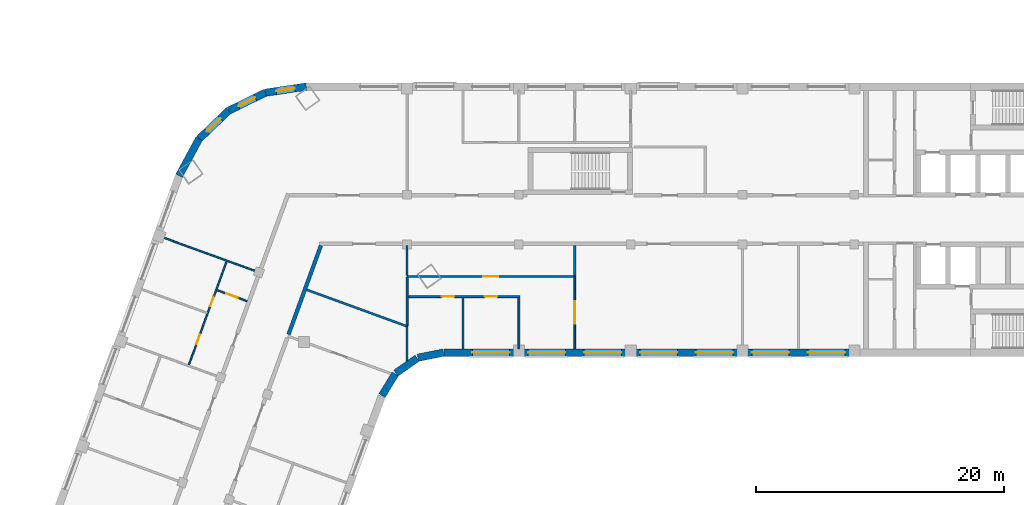
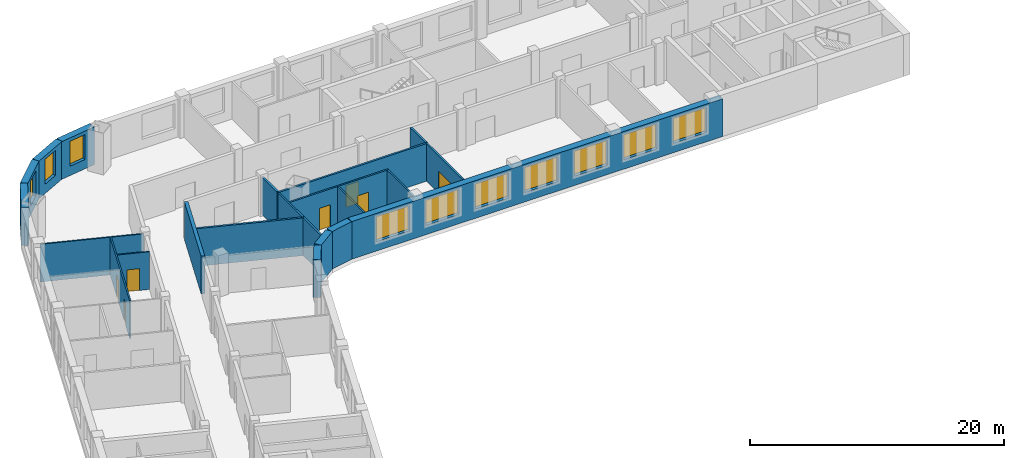
# One storey, part 4 of 12: 22 walls, 10 windows, 7 doors, 17 openings.
"""IFC4 building model written with IfcOpenShell, lengths in metres."""

from ifc_helpers import new_model, si_unit, direction, frame, frame_2d, origin, place, context, subcontext, project, spatial, rectangle, extrude, material, layer, layer_set, type_object, element, fill, save


model = new_model("IFC4")

# Units and contexts
model_context = context("Model", 3, precision=1e-05, world=origin(), true_north=direction((0.0, 1.0)))
body_context = subcontext(model_context, "Body", "Model", "MODEL_VIEW")
ifc_project = project(units=[si_unit("LENGTHUNIT", "METRE"), si_unit("AREAUNIT", "SQUARE_METRE"), si_unit("VOLUMEUNIT", "CUBIC_METRE"), si_unit("PLANEANGLEUNIT", "RADIAN"), si_unit("MASSUNIT", "GRAM", prefix="KILO")], contexts=[model_context])

# Site, building, storey
site_placement = place(None, origin())
site = spatial("IfcSite", under=ifc_project, at=site_placement, CompositionType="ELEMENT")
building_placement = place(site_placement, origin())
building = spatial("IfcBuilding", under=site, at=building_placement, Name="Skarvind Civic Tower", CompositionType="ELEMENT")
storey_placement = place(building_placement, frame((0.0, 0.0, 51.5)))
storey = spatial("IfcBuildingStorey", under=building, at=storey_placement, Name="L11", CompositionType="ELEMENT", Elevation=51.5)

# Walls
ifc_material_1 = material(Name="Acoustic gypsum board on steel studs", Category="steel")
ifc_layer_1 = layer(ifc_material_1, 0.175048828125)
ifc_layer_set_1 = layer_set([ifc_layer_1], Name="ACOUSTIC MEETING-ROOM PARTITION 175")
wall_type_1 = type_object("IfcWallType", Name="ACOUSTIC MEETING-ROOM PARTITION 175", PredefinedType="PARTITIONING", material=ifc_layer_set_1)
wall_1_placement = place(storey_placement, frame((54.25, 116.636962890625, 0.0), z_axis=(0.0, 0.0, 1.0), x_axis=(0.0, 1.0, 0.0)))
element("IfcWall", 1, at=wall_1_placement, inside=storey, type_object=wall_type_1, Name="Partition 11.022", PredefinedType="PARTITIONING", context=body_context, shape_type="SweptSolid", body=[
    extrude(rectangle(XDim=2.776123046875, YDim=0.175048828125, at=frame_2d((1.38818359375, 0.0))), origin(), (0.0, 0.0, 1.0), 3.625),
])
wall_2_placement = place(storey_placement, frame((54.320068359375, 119.384033203125, 0.0), z_axis=(0.0, 0.0, 1.0), x_axis=(-0.939632908118, 0.342184157994, 0.0)))
element("IfcWall", 2, at=wall_2_placement, inside=storey, type_object=wall_type_1, Name="Partition 11.023", PredefinedType="PARTITIONING", context=body_context, shape_type="SweptSolid", body=[
    extrude(rectangle(XDim=8.665283203125, YDim=0.175048828125, at=frame_2d((4.33251953125, 0.0))), origin(), (0.0, 0.0, 1.0), 3.625),
])
wall_3_placement = place(storey_placement, frame((54.25, 123.501953125, 0.0), z_axis=(0.0, 0.0, 1.0), x_axis=(0.0, 1.0, 0.0)))
element("IfcWall", 3, at=wall_3_placement, inside=storey, type_object=wall_type_1, Name="Partition 11.026", PredefinedType="PARTITIONING", context=body_context, shape_type="SweptSolid", body=[
    extrude(rectangle(XDim=2.39794921875, YDim=0.175048828125, at=frame_2d((1.198974609375, 0.0))), origin(), (0.0, 0.0, 1.0), 3.625),
])

# Wall, opening, door
wall_4_placement = place(storey_placement, frame((54.25, 123.429931640625, 0.0), z_axis=(0.0, 0.0, 1.0), x_axis=(1.0, 0.0, 0.0)))
wall_4 = element("IfcWall", 4, at=wall_4_placement, inside=storey, type_object=wall_type_1, Name="Partition 11.027", PredefinedType="PARTITIONING", context=body_context, shape_type="SweptSolid", body=[
    extrude(rectangle(XDim=13.587890625, YDim=0.175048828125, at=frame_2d((6.7939453125, 0.0))), origin(), (0.0, 0.0, 1.0), 3.625),
])
opening_1_placement = place(wall_4_placement, frame((6.14990234375, 0.0, 0.0)))
opening_1 = element("IfcOpeningElement", 5, at=opening_1_placement, cuts=wall_4, Name="Opening L11-D025", PredefinedType="OPENING", context=body_context, shape_type="SweptSolid", body=[
    extrude(rectangle(XDim=1.199951171875, YDim=2.10009765625, at=frame_2d((0.60009765625, 1.050048828125))), frame((0.0, 0.097412109375, 0.0), z_axis=(0.0, -1.0, 0.0), x_axis=(1.0, 0.0, 0.0)), (0.0, 0.0, 1.0), 0.195068359375),
])
ifc_material_2 = material(Name="Timber door leaf", Category="wood")
door_type_1 = type_object("IfcDoorType", Name="DOOR 1200X2100 DOUBLE TIMBER", OperationType="NOTDEFINED", PredefinedType="DOOR", material=ifc_material_2)
door_1_placement = place(opening_1_placement, origin())
door_1 = element("IfcDoor", 6, at=door_1_placement, inside=storey, type_object=door_type_1, Name="Door L11-D025", OperationType="DOUBLE_DOOR_SINGLE_SWING", OverallHeight=2.10009765625, OverallWidth=1.199951171875, PredefinedType="DOOR", context=body_context, shape_type="SweptSolid", body=[
    extrude(rectangle(XDim=1.199951171875, YDim=2.10009765625, at=frame_2d((0.60009765625, 1.050048828125))), frame((0.0, 0.02490234375, 0.0), z_axis=(0.0, -1.0, 0.0), x_axis=(1.0, 0.0, 0.0)), (0.0, 0.0, 1.0), 0.050048828125),
])
fill(opening_1, door_1)

# Walls
wall_5_placement = place(storey_placement, frame((67.75, 123.51806640625, 0.0), z_axis=(0.0, 0.0, 1.0), x_axis=(0.0, 1.0, 0.0)))
element("IfcWall", 7, at=wall_5_placement, inside=storey, type_object=wall_type_1, Name="Partition 11.035", PredefinedType="PARTITIONING", context=body_context, shape_type="SweptSolid", body=[
    extrude(rectangle(XDim=2.3818359375, YDim=0.175048828125, at=frame_2d((1.19091796875, 0.0))), origin(), (0.0, 0.0, 1.0), 3.625),
])
ifc_material_3 = material(Name="Fire-rated gypsum board on steel studs", Category="steel")
ifc_layer_2 = layer(ifc_material_3, 0.300048828125)
ifc_layer_set_2 = layer_set([ifc_layer_2], Name="CORRIDOR WALL 300")
wall_type_2 = type_object("IfcWallType", Name="CORRIDOR WALL 300", PredefinedType="PARTITIONING", material=ifc_layer_set_2)
wall_6_placement = place(storey_placement, frame((47.31396484375, 125.908935546875, 0.0), z_axis=(0.0, 0.0, 1.0), x_axis=(-0.34198522802, -0.939705328183, 0.0)))
element("IfcWall", 8, at=wall_6_placement, inside=storey, type_object=wall_type_2, Name="Partition 11.021", PredefinedType="PARTITIONING", context=body_context, shape_type="SweptSolid", body=[
    extrude(rectangle(XDim=7.608642578125, YDim=0.300048828125, at=frame_2d((3.80419921875, 0.0))), origin(), (0.0, 0.0, 1.0), 3.625),
])
ifc_material_4 = material(Name="Plasterboard partition on steel studs", Category="steel")
ifc_layer_3 = layer(ifc_material_4, 0.14990234375)
ifc_layer_set_3 = layer_set([ifc_layer_3], Name="PARTITION 150")
wall_type_3 = type_object("IfcWallType", Name="PARTITION 150", PredefinedType="PARTITIONING", material=ifc_layer_set_3)
wall_7_placement = place(storey_placement, frame((54.25, 119.498046875, 0.0), z_axis=(0.0, 0.0, 1.0), x_axis=(0.0, 1.0, 0.0)))
element("IfcWall", 9, at=wall_7_placement, inside=storey, type_object=wall_type_3, Name="Partition 11.024", PredefinedType="PARTITIONING", context=body_context, shape_type="SweptSolid", body=[
    extrude(rectangle(XDim=3.847900390625, YDim=0.14990234375, at=frame_2d((1.923828125, 0.0))), origin(), (0.0, 0.0, 1.0), 3.625),
])

# Wall, openings, doors
wall_8_placement = place(storey_placement, frame((54.324951171875, 121.800048828125, 0.0), z_axis=(0.0, 0.0, 1.0), x_axis=(1.0, 0.0, 0.0)))
wall_8 = element("IfcWall", 10, at=wall_8_placement, inside=storey, type_object=wall_type_3, Name="Partition 11.025", PredefinedType="PARTITIONING", context=body_context, shape_type="SweptSolid", body=[
    extrude(rectangle(XDim=9.0, YDim=0.14990234375, at=frame_2d((4.5, 0.0))), origin(), (0.0, 0.0, 1.0), 3.625),
])
opening_2_placement = place(wall_8_placement, frame((6.175048828125, 0.0, 0.0)))
opening_2 = element("IfcOpeningElement", 11, at=opening_2_placement, cuts=wall_8, Name="Opening L11-D008", PredefinedType="OPENING", context=body_context, shape_type="SweptSolid", body=[
    extrude(rectangle(XDim=1.0, YDim=2.10009765625, at=frame_2d((0.5, 1.050048828125))), frame((0.0, 0.0849609375, 0.0), z_axis=(0.0, -1.0, 0.0), x_axis=(1.0, 0.0, 0.0)), (0.0, 0.0, 1.0), 0.169921875),
])
opening_3_placement = place(wall_8_placement, frame((2.702392578125, 0.0, 0.0)))
opening_3 = element("IfcOpeningElement", 12, at=opening_3_placement, cuts=wall_8, Name="Opening L11-D009", PredefinedType="OPENING", context=body_context, shape_type="SweptSolid", body=[
    extrude(rectangle(XDim=1.0, YDim=2.10009765625, at=frame_2d((0.5, 1.050048828125))), frame((0.0, 0.0849609375, 0.0), z_axis=(0.0, -1.0, 0.0), x_axis=(1.0, 0.0, 0.0)), (0.0, 0.0, 1.0), 0.169921875),
])
door_type_2 = type_object("IfcDoorType", Name="D1 1000x2100", OperationType="NOTDEFINED", PredefinedType="DOOR", material=ifc_material_2)
door_2_placement = place(opening_2_placement, origin())
door_2 = element("IfcDoor", 13, at=door_2_placement, inside=storey, type_object=door_type_2, Name="Door L11-D008", OperationType="SINGLE_SWING_RIGHT", OverallHeight=2.10009765625, OverallWidth=1.0, PredefinedType="DOOR", context=body_context, shape_type="SweptSolid", body=[
    extrude(rectangle(XDim=1.0, YDim=2.10009765625, at=frame_2d((0.5, 1.050048828125))), frame((0.0, 0.02490234375, 0.0), z_axis=(0.0, -1.0, 0.0), x_axis=(1.0, 0.0, 0.0)), (0.0, 0.0, 1.0), 0.050048828125),
])
fill(opening_2, door_2)
door_3_placement = place(opening_3_placement, origin())
door_3 = element("IfcDoor", 14, at=door_3_placement, inside=storey, type_object=door_type_2, Name="Door L11-D009", OperationType="SINGLE_SWING_RIGHT", OverallHeight=2.10009765625, OverallWidth=1.0, PredefinedType="DOOR", context=body_context, shape_type="SweptSolid", body=[
    extrude(rectangle(XDim=1.0, YDim=2.10009765625, at=frame_2d((0.5, 1.050048828125))), frame((0.0, 0.02490234375, 0.0), z_axis=(0.0, -1.0, 0.0), x_axis=(1.0, 0.0, 0.0)), (0.0, 0.0, 1.0), 0.050048828125),
])
fill(opening_3, door_3)

# Walls
for number, where, z_axis, x_axis, name in (
    (15, (58.75, 117.60009765625, 0.0), (0.0, 0.0, 1.0), (0.0, 1.0, 0.0), "Partition 11.029"),
    (16, (63.25, 117.60009765625, 0.0), (0.0, 0.0, 1.0), (0.0, 1.0, 0.0), "Partition 11.032"),
):
    element("IfcWall", number, at=place(storey_placement, frame(where, z_axis=z_axis, x_axis=x_axis)), inside=storey, type_object=wall_type_3, Name=name, PredefinedType="PARTITIONING", context=body_context, shape_type="SweptSolid", body=[
        extrude(rectangle(XDim=4.125, YDim=0.14990234375, at=frame_2d((2.0625, 0.0))), origin(), (0.0, 0.0, 1.0), 3.625),
    ])

# Wall, opening, door
wall_9_placement = place(storey_placement, frame((67.75, 123.43310546875, 0.0), z_axis=(0.0, 0.0, 1.0), x_axis=(0.0, -1.0, 0.0)))
wall_9 = element("IfcWall", 17, at=wall_9_placement, inside=storey, type_object=wall_type_3, Name="Partition 11.034", PredefinedType="PARTITIONING", context=body_context, shape_type="SweptSolid", body=[
    extrude(rectangle(XDim=5.8330078125, YDim=0.14990234375, at=frame_2d((2.91650390625, 0.0))), origin(), (0.0, 0.0, 1.0), 3.625),
])
opening_4_placement = place(wall_9_placement, frame((2.01806640625, 0.0, 0.0)))
opening_4 = element("IfcOpeningElement", 18, at=opening_4_placement, cuts=wall_9, Name="Opening L11-D010", PredefinedType="OPENING", context=body_context, shape_type="SweptSolid", body=[
    extrude(rectangle(XDim=1.800048828125, YDim=2.10009765625, at=frame_2d((0.89990234375, 1.050048828125))), frame((0.0, 0.0849609375, 0.0), z_axis=(0.0, -1.0, 0.0), x_axis=(1.0, 0.0, 0.0)), (0.0, 0.0, 1.0), 0.169921875),
])
door_type_3 = type_object("IfcDoorType", Name="D4 1800x2100", OperationType="NOTDEFINED", PredefinedType="DOOR", material=ifc_material_2)
door_4_placement = place(opening_4_placement, origin())
door_4 = element("IfcDoor", 19, at=door_4_placement, inside=storey, type_object=door_type_3, Name="Door L11-D010", OperationType="DOUBLE_DOOR_SINGLE_SWING", OverallHeight=2.10009765625, OverallWidth=1.800048828125, PredefinedType="DOOR", context=body_context, shape_type="SweptSolid", body=[
    extrude(rectangle(XDim=1.800048828125, YDim=2.10009765625, at=frame_2d((0.89990234375, 1.050048828125))), frame((0.0, 0.02490234375, 0.0), z_axis=(0.0, -1.0, 0.0), x_axis=(1.0, 0.0, 0.0)), (0.0, 0.0, 1.0), 0.050048828125),
])
fill(opening_4, door_4)

# Wall
ifc_material_5 = material(Name="Moisture-resistant gypsum board on steel studs", Category="steel")
ifc_layer_4 = layer(ifc_material_5, 0.125)
ifc_layer_set_4 = layer_set([ifc_layer_4], Name="WC PARTITION 125")
wall_type_4 = type_object("IfcWallType", Name="WC PARTITION 125", PredefinedType="PARTITIONING", material=ifc_layer_set_4)
wall_10_placement = place(storey_placement, frame((34.430908203125, 126.6240234375, 0.0), z_axis=(0.0, 0.0, 1.0), x_axis=(0.939687752599, -0.342033518263, 0.0)))
element("IfcWall", 20, at=wall_10_placement, inside=storey, type_object=wall_type_4, Name="Partition 11.006", PredefinedType="PARTITIONING", context=body_context, shape_type="SweptSolid", body=[
    extrude(rectangle(XDim=8.30078125, YDim=0.125, at=frame_2d((4.150390625, 0.0))), origin(), (0.0, 0.0, 1.0), 3.625),
])

# Wall, openings, doors
wall_11_placement = place(storey_placement, frame((36.68408203125, 116.29296875, 0.0), z_axis=(0.0, 0.0, 1.0), x_axis=(0.342089829483, 0.939667254173, 0.0)))
wall_11 = element("IfcWall", 21, at=wall_11_placement, inside=storey, type_object=wall_type_4, Name="Partition 11.008", PredefinedType="PARTITIONING", context=body_context, shape_type="SweptSolid", body=[
    extrude(rectangle(XDim=8.87451171875, YDim=0.125, at=frame_2d((4.437255859375, 0.0))), origin(), (0.0, 0.0, 1.0), 3.625),
])
opening_5_placement = place(wall_11_placement, frame((1.808837890625, 0.0, 0.0)))
opening_5 = element("IfcOpeningElement", 22, at=opening_5_placement, cuts=wall_11, Name="Opening L11-D017", PredefinedType="OPENING", context=body_context, shape_type="SweptSolid", body=[
    extrude(rectangle(XDim=0.800048828125, YDim=2.10009765625, at=frame_2d((0.39990234375, 1.050048828125))), frame((0.0, 0.072509765625, 0.0), z_axis=(0.0, -1.0, 0.0), x_axis=(1.0, 0.0, 0.0)), (0.0, 0.0, 1.0), 0.14501953125),
])
opening_6_placement = place(wall_11_placement, frame((5.0390625, 0.0, 0.0)))
opening_6 = element("IfcOpeningElement", 23, at=opening_6_placement, cuts=wall_11, Name="Opening L11-D018", PredefinedType="OPENING", context=body_context, shape_type="SweptSolid", body=[
    extrude(rectangle(XDim=0.800048828125, YDim=2.10009765625, at=frame_2d((0.39990234375, 1.050048828125))), frame((0.0, 0.072509765625, 0.0), z_axis=(0.0, -1.0, 0.0), x_axis=(1.0, 0.0, 0.0)), (0.0, 0.0, 1.0), 0.14501953125),
])
door_type_4 = type_object("IfcDoorType", Name="DOOR 800X2100 TIMBER", OperationType="NOTDEFINED", PredefinedType="DOOR", material=ifc_material_2)
door_5_placement = place(opening_5_placement, origin())
door_5 = element("IfcDoor", 24, at=door_5_placement, inside=storey, type_object=door_type_4, Name="Door L11-D017", OperationType="SINGLE_SWING_RIGHT", OverallHeight=2.10009765625, OverallWidth=0.800048828125, PredefinedType="DOOR", context=body_context, shape_type="SweptSolid", body=[
    extrude(rectangle(XDim=0.800048828125, YDim=2.10009765625, at=frame_2d((0.39990234375, 1.050048828125))), frame((0.0, 0.02490234375, 0.0), z_axis=(0.0, -1.0, 0.0), x_axis=(1.0, 0.0, 0.0)), (0.0, 0.0, 1.0), 0.050048828125),
])
fill(opening_5, door_5)
door_6_placement = place(opening_6_placement, origin())
door_6 = element("IfcDoor", 25, at=door_6_placement, inside=storey, type_object=door_type_4, Name="Door L11-D018", OperationType="SINGLE_SWING_LEFT", OverallHeight=2.10009765625, OverallWidth=0.800048828125, PredefinedType="DOOR", context=body_context, shape_type="SweptSolid", body=[
    extrude(rectangle(XDim=0.800048828125, YDim=2.10009765625, at=frame_2d((0.39990234375, 1.050048828125))), frame((0.0, 0.02490234375, 0.0), z_axis=(0.0, -1.0, 0.0), x_axis=(1.0, 0.0, 0.0)), (0.0, 0.0, 1.0), 0.050048828125),
])
fill(opening_6, door_6)

# Wall, opening, door
wall_12_placement = place(storey_placement, frame((38.945068359375, 122.321044921875, 0.0), z_axis=(0.0, 0.0, 1.0), x_axis=(0.939542462288, -0.342432418966, 0.0)))
wall_12 = element("IfcWall", 26, at=wall_12_placement, inside=storey, type_object=wall_type_4, Name="Partition 11.012", PredefinedType="PARTITIONING", context=body_context, shape_type="SweptSolid", body=[
    extrude(rectangle(XDim=2.58740234375, YDim=0.125, at=frame_2d((1.293701171875, 0.0))), origin(), (0.0, 0.0, 1.0), 3.625),
])
opening_7_placement = place(wall_12_placement, frame((0.7939453125, 0.0, 0.0)))
opening_7 = element("IfcOpeningElement", 27, at=opening_7_placement, cuts=wall_12, Name="Opening L11-D016", PredefinedType="OPENING", context=body_context, shape_type="SweptSolid", body=[
    extrude(rectangle(XDim=1.0, YDim=2.10009765625, at=frame_2d((0.5, 1.050048828125))), frame((0.0, 0.072509765625, 0.0), z_axis=(0.0, -1.0, 0.0), x_axis=(1.0, 0.0, 0.0)), (0.0, 0.0, 1.0), 0.14501953125),
])
door_7_placement = place(opening_7_placement, origin())
door_7 = element("IfcDoor", 28, at=door_7_placement, inside=storey, type_object=door_type_2, Name="Door L11-D016", OperationType="SINGLE_SWING_LEFT", OverallHeight=2.10009765625, OverallWidth=1.0, PredefinedType="DOOR", context=body_context, shape_type="SweptSolid", body=[
    extrude(rectangle(XDim=1.0, YDim=2.10009765625, at=frame_2d((0.5, 1.050048828125))), frame((0.0, 0.02490234375, 0.0), z_axis=(0.0, -1.0, 0.0), x_axis=(1.0, 0.0, 0.0)), (0.0, 0.0, 1.0), 0.050048828125),
])
fill(opening_7, door_7)

# Walls
ifc_material_6 = material(Name="Limestone masonry cladding on insulated backing", Category="masonry")
ifc_layer_5 = layer(ifc_material_6, 0.60009765625)
ifc_layer_set_5 = layer_set([ifc_layer_5], Name="WX1 STONE FACADE WALL 600")
wall_type_5 = type_object("IfcWallType", Name="WX1 STONE FACADE WALL 600", PredefinedType="SOLIDWALL", material=ifc_layer_set_5)
wall_13_placement = place(storey_placement, frame((53.30517578125, 115.578369140625, 0.0), z_axis=(0.0, 0.0, 1.0), x_axis=(-0.522402266438, -0.852699168535, 0.0)))
element("IfcWall", 29, at=wall_13_placement, inside=storey, type_object=wall_type_5, Name="STONE FACADE WALL", PredefinedType="SOLIDWALL", context=body_context, shape_type="SweptSolid", body=[
    extrude(rectangle(XDim=2.042236328125, YDim=0.60009765625, at=frame_2d((1.02099609375, 0.0))), origin(), (0.0, 0.0, 1.0), 3.625),
])
for number, where, z_axis, x_axis, name in (
    (30, (55.061767578125, 116.8388671875, 0.0), (0.0, 0.0, 1.0), (-0.819122269495, -0.573618956815, 0.0), "STONE FACADE WALL"),
    (31, (57.17529296875, 117.2939453125, 0.0), (0.0, 0.0, 1.0), (-0.97996099083, -0.19918949885, 0.0), "STONE FACADE WALL"),
):
    element("IfcWall", number, at=place(storey_placement, frame(where, z_axis=z_axis, x_axis=x_axis)), inside=storey, type_object=wall_type_5, Name=name, PredefinedType="SOLIDWALL", context=body_context, shape_type="SweptSolid", body=[
        extrude(rectangle(XDim=2.09228515625, YDim=0.60009765625, at=frame_2d((1.046142578125, 0.0))), origin(), (0.0, 0.0, 1.0), 3.625),
    ])

# Wall, openings, windows
wall_14_placement = place(storey_placement, frame((90.97998046875, 117.300048828125, 0.0), z_axis=(0.0, 0.0, 1.0), x_axis=(-1.0, 0.0, 0.0)))
wall_14 = element("IfcWall", 32, at=wall_14_placement, inside=storey, type_object=wall_type_5, Name="STONE FACADE WALL", PredefinedType="SOLIDWALL", context=body_context, shape_type="SweptSolid", body=[
    extrude(rectangle(XDim=33.744873046875, YDim=0.60009765625, at=frame_2d((16.87255859375, 0.0))), origin(), (0.0, 0.0, 1.0), 3.625),
])
opening_8_placement = place(wall_14_placement, frame((1.47998046875, 0.0, 0.89990234375)))
opening_8 = element("IfcOpeningElement", 33, at=opening_8_placement, cuts=wall_14, Name="Opening WN1", PredefinedType="OPENING", context=body_context, shape_type="SweptSolid", body=[
    extrude(rectangle(XDim=3.0, YDim=2.39990234375, at=frame_2d((1.5, 1.199951171875))), frame((0.0, 0.31005859375, 0.0), z_axis=(0.0, -1.0, 0.0), x_axis=(1.0, 0.0, 0.0)), (0.0, 0.0, 1.0), 0.6201171875),
])
opening_9_placement = place(wall_14_placement, frame((5.97998046875, 0.0, 0.89990234375)))
opening_9 = element("IfcOpeningElement", 34, at=opening_9_placement, cuts=wall_14, Name="Opening WN1", PredefinedType="OPENING", context=body_context, shape_type="SweptSolid", body=[
    extrude(rectangle(XDim=3.0, YDim=2.39990234375, at=frame_2d((1.5, 1.199951171875))), frame((0.0, 0.31005859375, 0.0), z_axis=(0.0, -1.0, 0.0), x_axis=(1.0, 0.0, 0.0)), (0.0, 0.0, 1.0), 0.6201171875),
])
opening_10_placement = place(wall_14_placement, frame((10.47998046875, 0.0, 0.89990234375)))
opening_10 = element("IfcOpeningElement", 35, at=opening_10_placement, cuts=wall_14, Name="Opening WN1", PredefinedType="OPENING", context=body_context, shape_type="SweptSolid", body=[
    extrude(rectangle(XDim=3.0, YDim=2.39990234375, at=frame_2d((1.5, 1.199951171875))), frame((0.0, 0.31005859375, 0.0), z_axis=(0.0, -1.0, 0.0), x_axis=(1.0, 0.0, 0.0)), (0.0, 0.0, 1.0), 0.6201171875),
])
opening_11_placement = place(wall_14_placement, frame((14.97998046875, 0.0, 0.89990234375)))
opening_11 = element("IfcOpeningElement", 36, at=opening_11_placement, cuts=wall_14, Name="Opening WN1", PredefinedType="OPENING", context=body_context, shape_type="SweptSolid", body=[
    extrude(rectangle(XDim=3.0, YDim=2.39990234375, at=frame_2d((1.5, 1.199951171875))), frame((0.0, 0.31005859375, 0.0), z_axis=(0.0, -1.0, 0.0), x_axis=(1.0, 0.0, 0.0)), (0.0, 0.0, 1.0), 0.6201171875),
])
opening_12_placement = place(wall_14_placement, frame((19.47998046875, 0.0, 0.89990234375)))
opening_12 = element("IfcOpeningElement", 37, at=opening_12_placement, cuts=wall_14, Name="Opening WN1", PredefinedType="OPENING", context=body_context, shape_type="SweptSolid", body=[
    extrude(rectangle(XDim=3.0, YDim=2.39990234375, at=frame_2d((1.5, 1.199951171875))), frame((0.0, 0.31005859375, 0.0), z_axis=(0.0, -1.0, 0.0), x_axis=(1.0, 0.0, 0.0)), (0.0, 0.0, 1.0), 0.6201171875),
])
opening_13_placement = place(wall_14_placement, frame((23.97998046875, 0.0, 0.89990234375)))
opening_13 = element("IfcOpeningElement", 38, at=opening_13_placement, cuts=wall_14, Name="Opening WN1", PredefinedType="OPENING", context=body_context, shape_type="SweptSolid", body=[
    extrude(rectangle(XDim=3.0, YDim=2.39990234375, at=frame_2d((1.5, 1.199951171875))), frame((0.0, 0.31005859375, 0.0), z_axis=(0.0, -1.0, 0.0), x_axis=(1.0, 0.0, 0.0)), (0.0, 0.0, 1.0), 0.6201171875),
])
opening_14_placement = place(wall_14_placement, frame((28.47998046875, 0.0, 0.89990234375)))
opening_14 = element("IfcOpeningElement", 39, at=opening_14_placement, cuts=wall_14, Name="Opening WN1", PredefinedType="OPENING", context=body_context, shape_type="SweptSolid", body=[
    extrude(rectangle(XDim=3.0, YDim=2.39990234375, at=frame_2d((1.5, 1.199951171875))), frame((0.0, 0.31005859375, 0.0), z_axis=(0.0, -1.0, 0.0), x_axis=(1.0, 0.0, 0.0)), (0.0, 0.0, 1.0), 0.6201171875),
])
ifc_material_7 = material(Name="Timber frame, double glazing, timber-lined reveal", Category="wood")
window_type_1 = type_object("IfcWindowType", Name="WN1 PUNCHED STONE WINDOW 3000 x 2400", PartitioningType="SINGLE_PANEL", PredefinedType="WINDOW", material=ifc_material_7)
window_1_placement = place(opening_8_placement, origin())
window_1 = element("IfcWindow", 40, at=window_1_placement, inside=storey, type_object=window_type_1, Name="WN1 WINDOW", OverallHeight=2.39990234375, OverallWidth=3.0, PartitioningType="SINGLE_PANEL", PredefinedType="WINDOW", context=body_context, shape_type="SweptSolid", body=[
    extrude(rectangle(XDim=3.0, YDim=2.39990234375, at=frame_2d((1.5, 1.199951171875))), frame((0.0, 0.030029296875, 0.0), z_axis=(0.0, -1.0, 0.0), x_axis=(1.0, 0.0, 0.0)), (0.0, 0.0, 1.0), 0.06005859375),
])
fill(opening_8, window_1)
window_2_placement = place(opening_9_placement, origin())
window_2 = element("IfcWindow", 41, at=window_2_placement, inside=storey, type_object=window_type_1, Name="WN1 WINDOW", OverallHeight=2.39990234375, OverallWidth=3.0, PartitioningType="SINGLE_PANEL", PredefinedType="WINDOW", context=body_context, shape_type="SweptSolid", body=[
    extrude(rectangle(XDim=3.0, YDim=2.39990234375, at=frame_2d((1.5, 1.199951171875))), frame((0.0, 0.030029296875, 0.0), z_axis=(0.0, -1.0, 0.0), x_axis=(1.0, 0.0, 0.0)), (0.0, 0.0, 1.0), 0.06005859375),
])
fill(opening_9, window_2)
window_3_placement = place(opening_10_placement, origin())
window_3 = element("IfcWindow", 42, at=window_3_placement, inside=storey, type_object=window_type_1, Name="WN1 WINDOW", OverallHeight=2.39990234375, OverallWidth=3.0, PartitioningType="SINGLE_PANEL", PredefinedType="WINDOW", context=body_context, shape_type="SweptSolid", body=[
    extrude(rectangle(XDim=3.0, YDim=2.39990234375, at=frame_2d((1.5, 1.199951171875))), frame((0.0, 0.030029296875, 0.0), z_axis=(0.0, -1.0, 0.0), x_axis=(1.0, 0.0, 0.0)), (0.0, 0.0, 1.0), 0.06005859375),
])
fill(opening_10, window_3)
window_4_placement = place(opening_11_placement, origin())
window_4 = element("IfcWindow", 43, at=window_4_placement, inside=storey, type_object=window_type_1, Name="WN1 WINDOW", OverallHeight=2.39990234375, OverallWidth=3.0, PartitioningType="SINGLE_PANEL", PredefinedType="WINDOW", context=body_context, shape_type="SweptSolid", body=[
    extrude(rectangle(XDim=3.0, YDim=2.39990234375, at=frame_2d((1.5, 1.199951171875))), frame((0.0, 0.030029296875, 0.0), z_axis=(0.0, -1.0, 0.0), x_axis=(1.0, 0.0, 0.0)), (0.0, 0.0, 1.0), 0.06005859375),
])
fill(opening_11, window_4)
window_5_placement = place(opening_12_placement, origin())
window_5 = element("IfcWindow", 44, at=window_5_placement, inside=storey, type_object=window_type_1, Name="WN1 WINDOW", OverallHeight=2.39990234375, OverallWidth=3.0, PartitioningType="SINGLE_PANEL", PredefinedType="WINDOW", context=body_context, shape_type="SweptSolid", body=[
    extrude(rectangle(XDim=3.0, YDim=2.39990234375, at=frame_2d((1.5, 1.199951171875))), frame((0.0, 0.030029296875, 0.0), z_axis=(0.0, -1.0, 0.0), x_axis=(1.0, 0.0, 0.0)), (0.0, 0.0, 1.0), 0.06005859375),
])
fill(opening_12, window_5)
window_6_placement = place(opening_13_placement, origin())
window_6 = element("IfcWindow", 45, at=window_6_placement, inside=storey, type_object=window_type_1, Name="WN1 WINDOW", OverallHeight=2.39990234375, OverallWidth=3.0, PartitioningType="SINGLE_PANEL", PredefinedType="WINDOW", context=body_context, shape_type="SweptSolid", body=[
    extrude(rectangle(XDim=3.0, YDim=2.39990234375, at=frame_2d((1.5, 1.199951171875))), frame((0.0, 0.030029296875, 0.0), z_axis=(0.0, -1.0, 0.0), x_axis=(1.0, 0.0, 0.0)), (0.0, 0.0, 1.0), 0.06005859375),
])
fill(opening_13, window_6)
window_7_placement = place(opening_14_placement, origin())
window_7 = element("IfcWindow", 46, at=window_7_placement, inside=storey, type_object=window_type_1, Name="WN1 WINDOW", OverallHeight=2.39990234375, OverallWidth=3.0, PartitioningType="SINGLE_PANEL", PredefinedType="WINDOW", context=body_context, shape_type="SweptSolid", body=[
    extrude(rectangle(XDim=3.0, YDim=2.39990234375, at=frame_2d((1.5, 1.199951171875))), frame((0.0, 0.030029296875, 0.0), z_axis=(0.0, -1.0, 0.0), x_axis=(1.0, 0.0, 0.0)), (0.0, 0.0, 1.0), 0.06005859375),
])
fill(opening_14, window_7)

# Wall, opening, window
wall_15_placement = place(storey_placement, frame((42.872802734375, 138.21728515625, 0.0), z_axis=(0.0, 0.0, 1.0), x_axis=(0.989110792192, 0.14717282619, 0.0)))
wall_15 = element("IfcWall", 47, at=wall_15_placement, inside=storey, type_object=wall_type_5, Name="STONE FACADE WALL", PredefinedType="SOLIDWALL", context=body_context, shape_type="SweptSolid", body=[
    extrude(rectangle(XDim=3.302734375, YDim=0.60009765625, at=frame_2d((1.6513671875, 0.0))), origin(), (0.0, 0.0, 1.0), 3.625),
])
opening_15_placement = place(wall_15_placement, frame((0.8564453125, 0.0, 0.89990234375)))
opening_15 = element("IfcOpeningElement", 48, at=opening_15_placement, cuts=wall_15, Name="Opening WN8", PredefinedType="OPENING", context=body_context, shape_type="SweptSolid", body=[
    extrude(rectangle(XDim=1.5, YDim=2.39990234375, at=frame_2d((0.75, 1.199951171875))), frame((0.0, 0.31005859375, 0.0), z_axis=(0.0, -1.0, 0.0), x_axis=(1.0, 0.0, 0.0)), (0.0, 0.0, 1.0), 0.6201171875),
])
window_type_2 = type_object("IfcWindowType", Name="WN8 ARC BAY WINDOW 1500 x 2400", PartitioningType="SINGLE_PANEL", PredefinedType="WINDOW", material=ifc_material_7)
window_8_placement = place(opening_15_placement, origin())
window_8 = element("IfcWindow", 49, at=window_8_placement, inside=storey, type_object=window_type_2, Name="WN8 WINDOW", OverallHeight=2.39990234375, OverallWidth=1.5, PartitioningType="SINGLE_PANEL", PredefinedType="WINDOW", context=body_context, shape_type="SweptSolid", body=[
    extrude(rectangle(XDim=1.5, YDim=2.39990234375, at=frame_2d((0.75, 1.199951171875))), frame((0.0, 0.030029296875, 0.0), z_axis=(0.0, -1.0, 0.0), x_axis=(1.0, 0.0, 0.0)), (0.0, 0.0, 1.0), 0.06005859375),
])
fill(opening_15, window_8)

wall_16_placement = place(storey_placement, frame((39.9072265625, 136.77587890625, 0.0), z_axis=(0.0, 0.0, 1.0), x_axis=(0.89761231107, 0.440785819889, 0.0)))
wall_16 = element("IfcWall", 50, at=wall_16_placement, inside=storey, type_object=wall_type_5, Name="STONE FACADE WALL", PredefinedType="SOLIDWALL", context=body_context, shape_type="SweptSolid", body=[
    extrude(rectangle(XDim=3.302734375, YDim=0.60009765625, at=frame_2d((1.6513671875, 0.0))), origin(), (0.0, 0.0, 1.0), 3.625),
])
opening_16_placement = place(wall_16_placement, frame((0.8564453125, 0.0, 0.89990234375)))
opening_16 = element("IfcOpeningElement", 51, at=opening_16_placement, cuts=wall_16, Name="Opening WN8", PredefinedType="OPENING", context=body_context, shape_type="SweptSolid", body=[
    extrude(rectangle(XDim=1.5, YDim=2.39990234375, at=frame_2d((0.75, 1.199951171875))), frame((0.0, 0.31005859375, 0.0), z_axis=(0.0, -1.0, 0.0), x_axis=(1.0, 0.0, 0.0)), (0.0, 0.0, 1.0), 0.6201171875),
])
window_9_placement = place(opening_16_placement, origin())
window_9 = element("IfcWindow", 52, at=window_9_placement, inside=storey, type_object=window_type_2, Name="WN8 WINDOW", OverallHeight=2.39990234375, OverallWidth=1.5, PartitioningType="SINGLE_PANEL", PredefinedType="WINDOW", context=body_context, shape_type="SweptSolid", body=[
    extrude(rectangle(XDim=1.5, YDim=2.39990234375, at=frame_2d((0.75, 1.199951171875))), frame((0.0, 0.030029296875, 0.0), z_axis=(0.0, -1.0, 0.0), x_axis=(1.0, 0.0, 0.0)), (0.0, 0.0, 1.0), 0.06005859375),
])
fill(opening_16, window_9)

wall_17_placement = place(storey_placement, frame((37.520263671875, 134.501220703125, 0.0), z_axis=(0.0, 0.0, 1.0), x_axis=(0.72115684486, 0.692771827596, 0.0)))
wall_17 = element("IfcWall", 53, at=wall_17_placement, inside=storey, type_object=wall_type_5, Name="STONE FACADE WALL", PredefinedType="SOLIDWALL", context=body_context, shape_type="SweptSolid", body=[
    extrude(rectangle(XDim=3.302734375, YDim=0.60009765625, at=frame_2d((1.6513671875, 0.0))), origin(), (0.0, 0.0, 1.0), 3.625),
])
opening_17_placement = place(wall_17_placement, frame((0.8564453125, 0.0, 0.89990234375)))
opening_17 = element("IfcOpeningElement", 54, at=opening_17_placement, cuts=wall_17, Name="Opening WN8", PredefinedType="OPENING", context=body_context, shape_type="SweptSolid", body=[
    extrude(rectangle(XDim=1.5, YDim=2.39990234375, at=frame_2d((0.75, 1.199951171875))), frame((0.0, 0.31005859375, 0.0), z_axis=(0.0, -1.0, 0.0), x_axis=(1.0, 0.0, 0.0)), (0.0, 0.0, 1.0), 0.6201171875),
])
window_10_placement = place(opening_17_placement, origin())
window_10 = element("IfcWindow", 55, at=window_10_placement, inside=storey, type_object=window_type_2, Name="WN8 WINDOW", OverallHeight=2.39990234375, OverallWidth=1.5, PartitioningType="SINGLE_PANEL", PredefinedType="WINDOW", context=body_context, shape_type="SweptSolid", body=[
    extrude(rectangle(XDim=1.5, YDim=2.39990234375, at=frame_2d((0.75, 1.199951171875))), frame((0.0, 0.030029296875, 0.0), z_axis=(0.0, -1.0, 0.0), x_axis=(1.0, 0.0, 0.0)), (0.0, 0.0, 1.0), 0.06005859375),
])
fill(opening_17, window_10)

# Wall
wall_18_placement = place(storey_placement, frame((35.89453125, 131.529541015625, 0.0), z_axis=(0.0, 0.0, 1.0), x_axis=(0.476531180538, 0.879157570618, 0.0)))
element("IfcWall", 56, at=wall_18_placement, inside=storey, type_object=wall_type_5, Name="STONE FACADE WALL", PredefinedType="SOLIDWALL", context=body_context, shape_type="SweptSolid", body=[
    extrude(rectangle(XDim=3.392578125, YDim=0.60009765625, at=frame_2d((1.6962890625, 0.0))), origin(), (0.0, 0.0, 1.0), 3.625),
])

save(model, "model.ifc")
